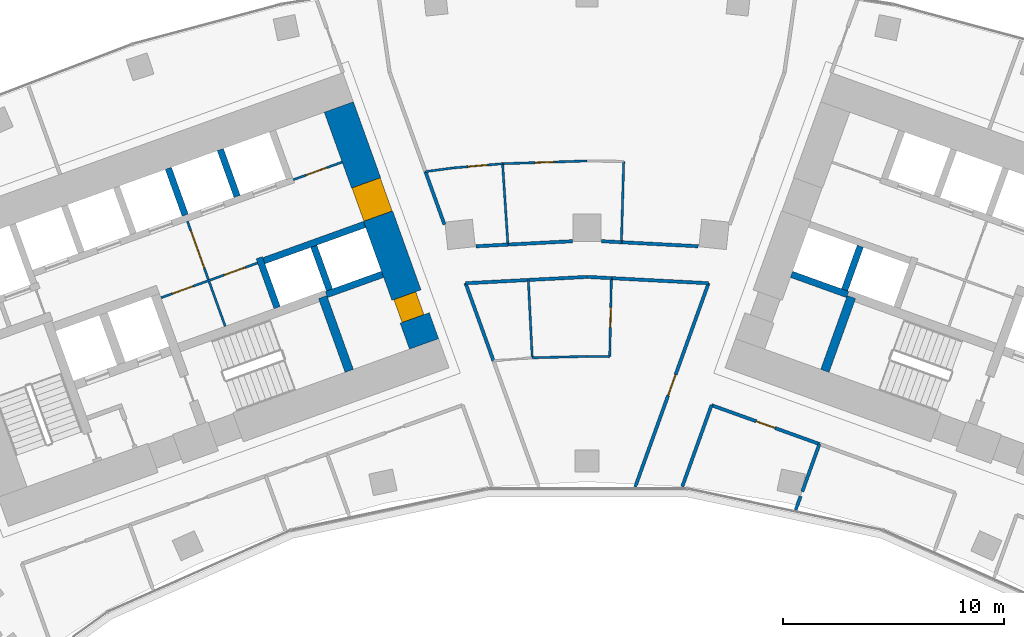
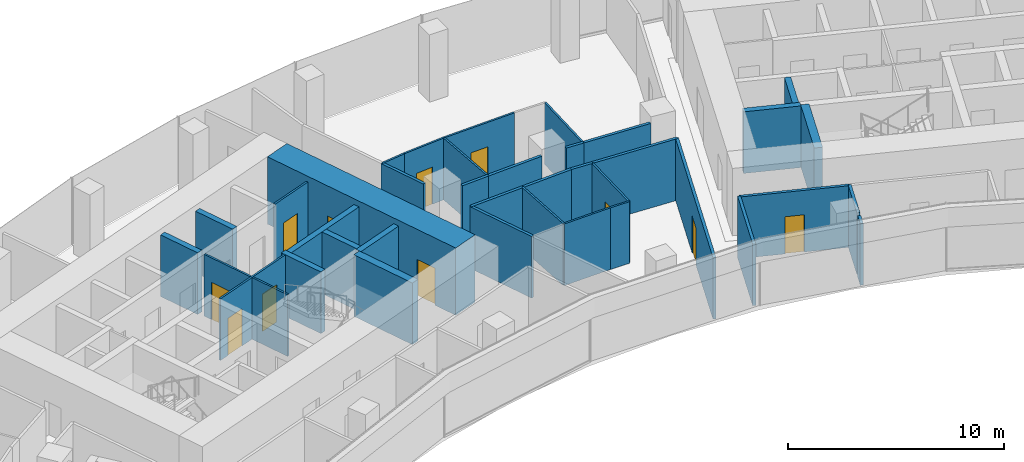
# One storey, part 15 of 21: 38 walls, 11 doors, 11 openings.
"""IFC4 building model written with IfcOpenShell, lengths in metres."""

from ifc_helpers import new_model, si_unit, direction, frame, frame_2d, origin, place, context, subcontext, project, spatial, rectangle, extrude, material, layer, layer_set, type_object, element, fill, save


model = new_model("IFC4")

# Units and contexts
model_context = context("Model", 3, precision=1e-05, world=origin(), true_north=direction((0.0, 1.0)))
body_context = subcontext(model_context, "Body", "Model", "MODEL_VIEW")
ifc_project = project(units=[si_unit("LENGTHUNIT", "METRE"), si_unit("AREAUNIT", "SQUARE_METRE"), si_unit("VOLUMEUNIT", "CUBIC_METRE"), si_unit("PLANEANGLEUNIT", "RADIAN"), si_unit("MASSUNIT", "GRAM", prefix="KILO")], contexts=[model_context])

# Site, building, storey
site_placement = place(None, origin())
site = spatial("IfcSite", under=ifc_project, at=site_placement, CompositionType="ELEMENT")
building_placement = place(site_placement, origin())
building = spatial("IfcBuilding", under=site, at=building_placement, Name="Stone Belt Terrace Tower", CompositionType="ELEMENT")
storey_placement = place(building_placement, frame((0.0, 0.0, 163.0)))
storey = spatial("IfcBuildingStorey", under=building, at=storey_placement, Name="L39", CompositionType="ELEMENT", Elevation=163.0)

# Wall, openings, doors
ifc_material_1 = material(Name="Plasterboard partition")
ifc_layer_1 = layer(ifc_material_1, 0.10009765625)
ifc_layer_set_1 = layer_set([ifc_layer_1], Name="Core partition 100")
wall_type_1 = type_object("IfcWallType", Name="Core partition 100", PredefinedType="PARTITIONING", material=ifc_layer_set_1)
wall_1_placement = place(storey_placement, frame((-19.29052734375, 51.829833984375, 0.0), z_axis=(0.0, 0.0, 1.0), x_axis=(0.940930240745, 0.338600475563, 0.0)))
wall_1 = element("IfcWall", 1, at=wall_1_placement, inside=storey, type_object=wall_type_1, Name="Core A wall", PredefinedType="PARTITIONING", context=body_context, shape_type="SweptSolid", body=[
    extrude(rectangle(XDim=4.64990234375, YDim=0.10009765625, at=frame_2d((2.324951171875, 0.0))), origin(), (0.0, 0.0, 1.0), 3.47998046875),
])
opening_1_placement = place(wall_1_placement, frame((0.550048828125, 0.0, 0.0)))
opening_1 = element("IfcOpeningElement", 2, at=opening_1_placement, cuts=wall_1, Name="Opening L39-C02", PredefinedType="OPENING", context=body_context, shape_type="SweptSolid", body=[
    extrude(rectangle(XDim=1.0, YDim=2.10009765625, at=frame_2d((0.5, 1.050048828125))), frame((0.0, 0.06005859375, 0.0), z_axis=(0.0, -1.0, 0.0), x_axis=(1.0, 0.0, 0.0)), (0.0, 0.0, 1.0), 0.1201171875),
])
opening_2_placement = place(wall_1_placement, frame((3.050048828125, 0.0, 0.0)))
opening_2 = element("IfcOpeningElement", 3, at=opening_2_placement, cuts=wall_1, Name="Opening L39-C03", PredefinedType="OPENING", context=body_context, shape_type="SweptSolid", body=[
    extrude(rectangle(XDim=1.0, YDim=2.10009765625, at=frame_2d((0.5, 1.050048828125))), frame((0.0, 0.06005859375, 0.0), z_axis=(0.0, -1.0, 0.0), x_axis=(1.0, 0.0, 0.0)), (0.0, 0.0, 1.0), 0.1201171875),
])
ifc_material_2 = material(Name="Timber door leaf", Category="wood")
door_type_1 = type_object("IfcDoorType", Name="Core room door 1000", OperationType="SINGLE_SWING_LEFT", PredefinedType="DOOR", material=ifc_material_2)
door_1_placement = place(opening_1_placement, origin())
door_1 = element("IfcDoor", 4, at=door_1_placement, inside=storey, type_object=door_type_1, Name="Door to Meeting store core A", OperationType="SINGLE_SWING_LEFT", OverallHeight=2.10009765625, OverallWidth=1.0, PredefinedType="DOOR", context=body_context, shape_type="SweptSolid", body=[
    extrude(rectangle(XDim=1.0, YDim=2.10009765625, at=frame_2d((0.5, 1.050048828125))), frame((0.0, 0.02490234375, 0.0), z_axis=(0.0, -1.0, 0.0), x_axis=(1.0, 0.0, 0.0)), (0.0, 0.0, 1.0), 0.050048828125),
])
fill(opening_1, door_1)
door_2_placement = place(opening_2_placement, origin())
door_2 = element("IfcDoor", 5, at=door_2_placement, inside=storey, type_object=door_type_1, Name="Door to Staff pantry core A", OperationType="SINGLE_SWING_RIGHT", OverallHeight=2.10009765625, OverallWidth=1.0, PredefinedType="DOOR", context=body_context, shape_type="SweptSolid", body=[
    extrude(rectangle(XDim=1.0, YDim=2.10009765625, at=frame_2d((0.5, 1.050048828125))), frame((0.0, 0.02490234375, 0.0), z_axis=(0.0, -1.0, 0.0), x_axis=(1.0, 0.0, 0.0)), (0.0, 0.0, 1.0), 0.050048828125),
])
fill(opening_2, door_2)

# Wall, opening, door
wall_2_placement = place(storey_placement, frame((-16.38134765625, 50.53857421875, 0.0), z_axis=(0.0, 0.0, 1.0), x_axis=(-0.33860476744, 0.940928696271, 0.0)))
wall_2 = element("IfcWall", 6, at=wall_2_placement, inside=storey, type_object=wall_type_1, Name="Core A wall", PredefinedType="PARTITIONING", context=body_context, shape_type="SweptSolid", body=[
    extrude(rectangle(XDim=5.050048828125, YDim=0.10009765625, at=frame_2d((2.52490234375, 0.0))), origin(), (0.0, 0.0, 1.0), 3.47998046875),
])
opening_3_placement = place(wall_2_placement, frame((2.800048828125, 0.0, 0.0)))
opening_3 = element("IfcOpeningElement", 7, at=opening_3_placement, cuts=wall_2, Name="Opening L39-C06", PredefinedType="OPENING", context=body_context, shape_type="SweptSolid", body=[
    extrude(rectangle(XDim=1.800048828125, YDim=2.10009765625, at=frame_2d((0.89990234375, 1.050048828125))), frame((0.0, 0.06005859375, 0.0), z_axis=(0.0, -1.0, 0.0), x_axis=(1.0, 0.0, 0.0)), (0.0, 0.0, 1.0), 0.1201171875),
])
ifc_material_3 = material(Name="Glazed aluminium door leaf", Category="aluminium")
door_type_2 = type_object("IfcDoorType", Name="Lift lobby entrance door 1800", OperationType="DOUBLE_DOOR_SINGLE_SWING", PredefinedType="DOOR", material=ifc_material_3)
door_3_placement = place(opening_3_placement, origin())
door_3 = element("IfcDoor", 8, at=door_3_placement, inside=storey, type_object=door_type_2, Name="Lift lobby double door core A", OperationType="DOUBLE_DOOR_SINGLE_SWING", OverallHeight=2.10009765625, OverallWidth=1.800048828125, PredefinedType="DOOR", context=body_context, shape_type="SweptSolid", body=[
    extrude(rectangle(XDim=1.800048828125, YDim=2.10009765625, at=frame_2d((0.89990234375, 1.050048828125))), frame((0.0, 0.02490234375, 0.0), z_axis=(0.0, -1.0, 0.0), x_axis=(1.0, 0.0, 0.0)), (0.0, 0.0, 1.0), 0.050048828125),
])
fill(opening_3, door_3)

wall_3_placement = place(storey_placement, frame((-13.29638671875, 57.17529296875, 0.0), z_axis=(0.0, 0.0, 1.0), x_axis=(0.940904627055, 0.338671644496, 0.0)))
wall_3 = element("IfcWall", 9, at=wall_3_placement, inside=storey, type_object=wall_type_1, Name="Core A wall", PredefinedType="PARTITIONING", context=body_context, shape_type="SweptSolid", body=[
    extrude(rectangle(XDim=2.35009765625, YDim=0.10009765625, at=frame_2d((1.175048828125, 0.0))), origin(), (0.0, 0.0, 1.0), 3.47998046875),
])
opening_4_placement = place(wall_3_placement, frame((0.60009765625, 0.0, 0.0)))
opening_4 = element("IfcOpeningElement", 10, at=opening_4_placement, cuts=wall_3, Name="Opening L39-C01", PredefinedType="OPENING", context=body_context, shape_type="SweptSolid", body=[
    extrude(rectangle(XDim=1.0, YDim=2.10009765625, at=frame_2d((0.5, 1.050048828125))), frame((0.0, 0.06005859375, 0.0), z_axis=(0.0, -1.0, 0.0), x_axis=(1.0, 0.0, 0.0)), (0.0, 0.0, 1.0), 0.1201171875),
])
door_4_placement = place(opening_4_placement, origin())
door_4 = element("IfcDoor", 11, at=door_4_placement, inside=storey, type_object=door_type_1, Name="Door to IT equipment room core A", OperationType="SINGLE_SWING_LEFT", OverallHeight=2.10009765625, OverallWidth=1.0, PredefinedType="DOOR", context=body_context, shape_type="SweptSolid", body=[
    extrude(rectangle(XDim=1.0, YDim=2.10009765625, at=frame_2d((0.5, 1.050048828125))), frame((0.0, 0.02490234375, 0.0), z_axis=(0.0, -1.0, 0.0), x_axis=(1.0, 0.0, 0.0)), (0.0, 0.0, 1.0), 0.050048828125),
])
fill(opening_4, door_4)

# Wall, openings, doors
ifc_material_4 = material(Name="Concrete B80", Category="concrete")
ifc_layer_2 = layer(ifc_material_4, 1.39990234375)
ifc_layer_set_2 = layer_set([ifc_layer_2], Name="Core wall 1400 B80")
wall_type_2 = type_object("IfcWallType", Name="Core wall 1400 B80", PredefinedType="SHEAR", material=ifc_layer_set_2)
wall_4_placement = place(storey_placement, frame((-7.379150390625, 49.73974609375, 0.0), z_axis=(0.0, 0.0, 1.0), x_axis=(-0.338625431531, 0.940921259788, 0.0)))
wall_4 = element("IfcWall", 12, at=wall_4_placement, inside=storey, type_object=wall_type_2, Name="Core A wall end_b L39", PredefinedType="SHEAR", context=body_context, shape_type="SweptSolid", body=[
    extrude(rectangle(XDim=11.400146484375, YDim=1.39990234375, at=frame_2d((5.7001953125, 0.0))), origin(), (0.0, 0.0, 1.0), 3.800048828125),
])
opening_5_placement = place(wall_4_placement, frame((6.14990234375, 0.0, 0.0)))
opening_5 = element("IfcOpeningElement", 13, at=opening_5_placement, cuts=wall_4, Name="Opening L39-C07", PredefinedType="OPENING", context=body_context, shape_type="SweptSolid", body=[
    extrude(rectangle(XDim=1.60009765625, YDim=2.10009765625, at=frame_2d((0.800048828125, 1.050048828125))), frame((0.0, 0.7099609375, 0.0), z_axis=(0.0, -1.0, 0.0), x_axis=(1.0, 0.0, 0.0)), (0.0, 0.0, 1.0), 1.419921875),
])
opening_6_placement = place(wall_4_placement, frame((1.25, 0.0, 0.0)))
opening_6 = element("IfcOpeningElement", 14, at=opening_6_placement, cuts=wall_4, Name="Opening L39-C13", PredefinedType="OPENING", context=body_context, shape_type="SweptSolid", body=[
    extrude(rectangle(XDim=1.10009765625, YDim=2.10009765625, at=frame_2d((0.550048828125, 1.050048828125))), frame((0.0, 0.7099609375, 0.0), z_axis=(0.0, -1.0, 0.0), x_axis=(1.0, 0.0, 0.0)), (0.0, 0.0, 1.0), 1.419921875),
])
door_type_3 = type_object("IfcDoorType", Name="Core room door 1100", OperationType="SINGLE_SWING_LEFT", PredefinedType="DOOR", material=ifc_material_2)
door_5_placement = place(opening_6_placement, origin())
door_5 = element("IfcDoor", 15, at=door_5_placement, inside=storey, type_object=door_type_3, Name="Door to Electrical riser room core A", OperationType="SINGLE_SWING_LEFT", OverallHeight=2.10009765625, OverallWidth=1.10009765625, PredefinedType="DOOR", context=body_context, shape_type="SweptSolid", body=[
    extrude(rectangle(XDim=1.10009765625, YDim=2.10009765625, at=frame_2d((0.550048828125, 1.050048828125))), frame((0.0, 0.60498046875, 0.0), z_axis=(0.0, -1.0, 0.0), x_axis=(1.0, 0.0, 0.0)), (0.0, 0.0, 1.0), 1.050048828125),
])
fill(opening_6, door_5)
door_type_4 = type_object("IfcDoorType", Name="Lift lobby entrance door 1600", OperationType="DOUBLE_DOOR_SINGLE_SWING", PredefinedType="DOOR", material=ifc_material_3)
door_6_placement = place(opening_5_placement, origin())
door_6 = element("IfcDoor", 16, at=door_6_placement, inside=storey, type_object=door_type_4, Name="Lift lobby entrance door core A", OperationType="DOUBLE_DOOR_SINGLE_SWING", OverallHeight=2.10009765625, OverallWidth=1.60009765625, PredefinedType="DOOR", context=body_context, shape_type="SweptSolid", body=[
    extrude(rectangle(XDim=1.60009765625, YDim=2.10009765625, at=frame_2d((0.800048828125, 1.050048828125))), frame((0.0, 0.68017578125, 0.0), z_axis=(0.0, -1.0, 0.0), x_axis=(1.0, 0.0, 0.0)), (0.0, 0.0, 1.0), 1.360107421875),
])
fill(opening_5, door_6)

# Walls
ifc_layer_3 = layer(ifc_material_4, 0.300048828125)
ifc_layer_set_3 = layer_set([ifc_layer_3], Name="Lift shaft wall 300")
wall_type_3 = type_object("IfcWallType", Name="Lift shaft wall 300", PredefinedType="SHEAR", material=ifc_layer_set_3)
wall_5_placement = place(storey_placement, frame((-18.193115234375, 55.572509765625, 0.0), z_axis=(0.0, 0.0, 1.0), x_axis=(-0.338535034312, 0.940953787677, 0.0)))
element("IfcWall", 17, at=wall_5_placement, inside=storey, type_object=wall_type_3, Name="Core A wall", PredefinedType="SHEAR", context=body_context, shape_type="SweptSolid", body=[
    extrude(rectangle(XDim=2.25, YDim=0.300048828125, at=frame_2d((1.125, 0.0))), origin(), (0.0, 0.0, 1.0), 3.47998046875),
])
wall_6_placement = place(storey_placement, frame((-14.029052734375, 51.38525390625, 0.0), z_axis=(0.0, 0.0, 1.0), x_axis=(-0.338661829791, 0.940908159728, 0.0)))
element("IfcWall", 18, at=wall_6_placement, inside=storey, type_object=wall_type_3, Name="Core A wall", PredefinedType="SHEAR", context=body_context, shape_type="SweptSolid", body=[
    extrude(rectangle(XDim=2.39990234375, YDim=0.300048828125, at=frame_2d((1.199951171875, 0.0))), origin(), (0.0, 0.0, 1.0), 3.47998046875),
])
wall_7_placement = place(storey_placement, frame((-14.6328125, 53.506103515625, 0.0), z_axis=(0.0, 0.0, 1.0), x_axis=(0.940931684323, 0.338596464007, 0.0)))
element("IfcWall", 19, at=wall_7_placement, inside=storey, type_object=wall_type_3, Name="Core A wall", PredefinedType="SHEAR", context=body_context, shape_type="SweptSolid", body=[
    extrude(rectangle(XDim=4.849609375, YDim=0.300048828125, at=frame_2d((2.4248046875, 0.0))), origin(), (0.0, 0.0, 1.0), 3.47998046875),
])
wall_8_placement = place(storey_placement, frame((-15.8408203125, 56.419189453125, 0.0), z_axis=(0.0, 0.0, 1.0), x_axis=(-0.338569601369, 0.940941350472, 0.0)))
element("IfcWall", 20, at=wall_8_placement, inside=storey, type_object=wall_type_3, Name="Core A wall", PredefinedType="SHEAR", context=body_context, shape_type="SweptSolid", body=[
    extrude(rectangle(XDim=2.249755859375, YDim=0.300048828125, at=frame_2d((1.125, 0.0))), origin(), (0.0, 0.0, 1.0), 3.47998046875),
])
wall_9_placement = place(storey_placement, frame((-11.797119140625, 51.975830078125, 0.0), z_axis=(0.0, 0.0, 1.0), x_axis=(0.940910465161, 0.33865542451, 0.0)))
element("IfcWall", 21, at=wall_9_placement, inside=storey, type_object=wall_type_3, Name="Core A wall", PredefinedType="SHEAR", context=body_context, shape_type="SweptSolid", body=[
    extrude(rectangle(XDim=2.69970703125, YDim=0.300048828125, at=frame_2d((1.349853515625, 0.0))), origin(), (0.0, 0.0, 1.0), 3.47998046875),
])
wall_10_placement = place(storey_placement, frame((-11.659912109375, 52.184814453125, 0.0), z_axis=(0.0, 0.0, 1.0), x_axis=(-0.338670064856, 0.940905195634, 0.0)))
element("IfcWall", 22, at=wall_10_placement, inside=storey, type_object=wall_type_3, Name="Core A wall", PredefinedType="SHEAR", context=body_context, shape_type="SweptSolid", body=[
    extrude(rectangle(XDim=2.099853515625, YDim=0.300048828125, at=frame_2d((1.0498046875, 0.0))), origin(), (0.0, 0.0, 1.0), 3.47998046875),
])
wall_11_placement = place(storey_placement, frame((11.797119140625, 51.975830078125, 0.0), z_axis=(0.0, 0.0, 1.0), x_axis=(-0.940910465161, 0.33865542451, 0.0)))
element("IfcWall", 23, at=wall_11_placement, inside=storey, type_object=wall_type_3, Name="Core B wall", PredefinedType="SHEAR", context=body_context, shape_type="SweptSolid", body=[
    extrude(rectangle(XDim=2.69970703125, YDim=0.300048828125, at=frame_2d((1.349853515625, 0.0))), origin(), (0.0, 0.0, 1.0), 3.47998046875),
])
wall_12_placement = place(storey_placement, frame((11.659912109375, 52.184814453125, 0.0), z_axis=(0.0, 0.0, 1.0), x_axis=(0.338670064856, 0.940905195634, 0.0)))
element("IfcWall", 24, at=wall_12_placement, inside=storey, type_object=wall_type_3, Name="Core B wall", PredefinedType="SHEAR", context=body_context, shape_type="SweptSolid", body=[
    extrude(rectangle(XDim=2.099853515625, YDim=0.300048828125, at=frame_2d((1.0498046875, 0.0))), origin(), (0.0, 0.0, 1.0), 3.47998046875),
])
ifc_material_5 = material(Name="Gypsum board partition")
ifc_layer_4 = layer(ifc_material_5, 0.10009765625)
ifc_layer_set_4 = layer_set([ifc_layer_4], Name="PARTITION 100")
wall_type_4 = type_object("IfcWallType", Name="PARTITION 100", PredefinedType="PARTITIONING", material=ifc_layer_set_4)
wall_13_placement = place(storey_placement, frame((-2.48095703125, 49.112060546875, 0.0), z_axis=(0.0, 0.0, 1.0), x_axis=(0.999677862605, 0.025380524361, 0.0)))
element("IfcWall", 25, at=wall_13_placement, inside=storey, type_object=wall_type_4, Name="L39/wall/i092", PredefinedType="PARTITIONING", context=body_context, shape_type="SweptSolid", body=[
    extrude(rectangle(XDim=2.481689453125, YDim=0.10009765625, at=frame_2d((1.24072265625, 0.0))), origin(), (0.0, 0.0, 1.0), 3.47998046875),
])
wall_14_placement = place(storey_placement, frame((0.0, 49.175048828125, 0.0), z_axis=(0.0, 0.0, 1.0), x_axis=(0.999942797799, -0.010695846423, 0.0)))
element("IfcWall", 26, at=wall_14_placement, inside=storey, type_object=wall_type_4, Name="L39/wall/i093", PredefinedType="PARTITIONING", context=body_context, shape_type="SweptSolid", body=[
    extrude(rectangle(XDim=1.027099609375, YDim=0.10009765625, at=frame_2d((0.513671875, 0.0))), origin(), (0.0, 0.0, 1.0), 3.47998046875),
])

# Wall, opening, door
wall_15_placement = place(storey_placement, frame((1.027099609375, 49.1640625, 0.0), z_axis=(0.0, 0.0, 1.0), x_axis=(0.020815938119, 0.999783324886, 0.0)))
wall_15 = element("IfcWall", 27, at=wall_15_placement, inside=storey, type_object=wall_type_4, Name="L39/wall/i094", PredefinedType="PARTITIONING", context=body_context, shape_type="SweptSolid", body=[
    extrude(rectangle(XDim=3.5537109375, YDim=0.10009765625, at=frame_2d((1.77685546875, 0.0))), origin(), (0.0, 0.0, 1.0), 3.47998046875),
])
opening_7_placement = place(wall_15_placement, frame((1.326904296875, 0.0, 0.0)))
opening_7 = element("IfcOpeningElement", 28, at=opening_7_placement, cuts=wall_15, Name="Opening D-C2-29", PredefinedType="OPENING", context=body_context, shape_type="SweptSolid", body=[
    extrude(rectangle(XDim=0.89990234375, YDim=2.10009765625, at=frame_2d((0.449951171875, 1.050048828125))), frame((0.0, 0.06005859375, 0.0), z_axis=(0.0, -1.0, 0.0), x_axis=(1.0, 0.0, 0.0)), (0.0, 0.0, 1.0), 0.1201171875),
])
door_type_5 = type_object("IfcDoorType", Name="OFFICE DOOR 900 X 2100", OperationType="NOTDEFINED", PredefinedType="DOOR", material=ifc_material_2)
door_7_placement = place(opening_7_placement, origin())
door_7 = element("IfcDoor", 29, at=door_7_placement, inside=storey, type_object=door_type_5, Name="L39/door/i29", OperationType="SINGLE_SWING_RIGHT", OverallHeight=2.10009765625, OverallWidth=0.89990234375, PredefinedType="DOOR", context=body_context, shape_type="SweptSolid", body=[
    extrude(rectangle(XDim=0.89990234375, YDim=2.10009765625, at=frame_2d((0.449951171875, 1.050048828125))), frame((0.0, 0.02490234375, 0.0), z_axis=(0.0, -1.0, 0.0), x_axis=(1.0, 0.0, 0.0)), (0.0, 0.0, 1.0), 0.050048828125),
])
fill(opening_7, door_7)

# Wall
wall_16_placement = place(storey_placement, frame((-2.658935546875, 52.635986328125, 0.0), z_axis=(0.0, 0.0, 1.0), x_axis=(0.050441457474, -0.998727019444, 0.0)))
element("IfcWall", 30, at=wall_16_placement, inside=storey, type_object=wall_type_4, Name="L39/wall/i095", PredefinedType="PARTITIONING", context=body_context, shape_type="SweptSolid", body=[
    extrude(rectangle(XDim=3.5283203125, YDim=0.10009765625, at=frame_2d((1.76416015625, 0.0))), origin(), (0.0, 0.0, 1.0), 3.47998046875),
])

# Wall, opening, door
wall_17_placement = place(storey_placement, frame((-3.823974609375, 57.89892578125, 0.0), z_axis=(0.0, 0.0, 1.0), x_axis=(-0.996353770626, -0.085318015439, 0.0)))
wall_17 = element("IfcWall", 31, at=wall_17_placement, inside=storey, type_object=wall_type_4, Name="L39/wall/i096", PredefinedType="PARTITIONING", context=body_context, shape_type="SweptSolid", body=[
    extrude(rectangle(XDim=2.249267578125, YDim=0.10009765625, at=frame_2d((1.12451171875, 0.0))), origin(), (0.0, 0.0, 1.0), 3.47998046875),
])
opening_8_placement = place(wall_17_placement, frame((0.674560546875, 0.0, 0.0)))
opening_8 = element("IfcOpeningElement", 32, at=opening_8_placement, cuts=wall_17, Name="Opening D-C2-31", PredefinedType="OPENING", context=body_context, shape_type="SweptSolid", body=[
    extrude(rectangle(XDim=0.89990234375, YDim=2.10009765625, at=frame_2d((0.449951171875, 1.050048828125))), frame((0.0, 0.06005859375, 0.0), z_axis=(0.0, -1.0, 0.0), x_axis=(1.0, 0.0, 0.0)), (0.0, 0.0, 1.0), 0.1201171875),
])
door_8_placement = place(opening_8_placement, origin())
door_8 = element("IfcDoor", 33, at=door_8_placement, inside=storey, type_object=door_type_5, Name="L39/door/i31", OperationType="SINGLE_SWING_RIGHT", OverallHeight=2.10009765625, OverallWidth=0.89990234375, PredefinedType="DOOR", context=body_context, shape_type="SweptSolid", body=[
    extrude(rectangle(XDim=0.89990234375, YDim=2.10009765625, at=frame_2d((0.449951171875, 1.050048828125))), frame((0.0, 0.02490234375, 0.0), z_axis=(0.0, -1.0, 0.0), x_axis=(1.0, 0.0, 0.0)), (0.0, 0.0, 1.0), 0.050048828125),
])
fill(opening_8, door_8)

# Walls
wall_18_placement = place(storey_placement, frame((-6.06494140625, 57.70703125, 0.0), z_axis=(0.0, 0.0, 1.0), x_axis=(-0.991238017123, -0.132087824608, 0.0)))
element("IfcWall", 34, at=wall_18_placement, inside=storey, type_object=wall_type_4, Name="L39/wall/i097", PredefinedType="PARTITIONING", context=body_context, shape_type="SweptSolid", body=[
    extrude(rectangle(XDim=1.26416015625, YDim=0.10009765625, at=frame_2d((0.632080078125, 0.0))), origin(), (0.0, 0.0, 1.0), 3.47998046875),
])
wall_19_placement = place(storey_placement, frame((1.555908203125, 54.343994140625, 0.0), z_axis=(0.0, 0.0, 1.0), x_axis=(0.028428321324, 0.999595833598, 0.0)))
element("IfcWall", 35, at=wall_19_placement, inside=storey, type_object=wall_type_4, Name="L39/wall/i098", PredefinedType="PARTITIONING", context=body_context, shape_type="SweptSolid", body=[
    extrude(rectangle(XDim=3.658447265625, YDim=0.10009765625, at=frame_2d((1.8291015625, 0.0))), origin(), (0.0, 0.0, 1.0), 3.47998046875),
])

# Wall, opening, door
wall_20_placement = place(storey_placement, frame((0.0, 58.02490234375, 0.0), z_axis=(0.0, 0.0, 1.0), x_axis=(-0.999457791673, -0.032926018036, 0.0)))
wall_20 = element("IfcWall", 36, at=wall_20_placement, inside=storey, type_object=wall_type_4, Name="L39/wall/i100", PredefinedType="PARTITIONING", context=body_context, shape_type="SweptSolid", body=[
    extrude(rectangle(XDim=3.825927734375, YDim=0.10009765625, at=frame_2d((1.9130859375, 0.0))), origin(), (0.0, 0.0, 1.0), 3.47998046875),
])
opening_9_placement = place(wall_20_placement, frame((1.463134765625, 0.0, 0.0)))
opening_9 = element("IfcOpeningElement", 37, at=opening_9_placement, cuts=wall_20, Name="Opening D-C2-32", PredefinedType="OPENING", context=body_context, shape_type="SweptSolid", body=[
    extrude(rectangle(XDim=0.89990234375, YDim=2.10009765625, at=frame_2d((0.449951171875, 1.050048828125))), frame((0.0, 0.06005859375, 0.0), z_axis=(0.0, -1.0, 0.0), x_axis=(1.0, 0.0, 0.0)), (0.0, 0.0, 1.0), 0.1201171875),
])
door_9_placement = place(opening_9_placement, origin())
door_9 = element("IfcDoor", 38, at=door_9_placement, inside=storey, type_object=door_type_5, Name="L39/door/i32", OperationType="SINGLE_SWING_RIGHT", OverallHeight=2.10009765625, OverallWidth=0.89990234375, PredefinedType="DOOR", context=body_context, shape_type="SweptSolid", body=[
    extrude(rectangle(XDim=0.89990234375, YDim=2.10009765625, at=frame_2d((0.449951171875, 1.050048828125))), frame((0.0, 0.02490234375, 0.0), z_axis=(0.0, -1.0, 0.0), x_axis=(1.0, 0.0, 0.0)), (0.0, 0.0, 1.0), 0.050048828125),
])
fill(opening_9, door_9)

# Walls
wall_21_placement = place(storey_placement, frame((-3.823974609375, 57.89892578125, 0.0), z_axis=(0.0, 0.0, 1.0), x_axis=(0.065927328972, -0.997824427089, 0.0)))
element("IfcWall", 39, at=wall_21_placement, inside=storey, type_object=wall_type_4, Name="L39/wall/i101", PredefinedType="PARTITIONING", context=body_context, shape_type="SweptSolid", body=[
    extrude(rectangle(XDim=3.669921875, YDim=0.10009765625, at=frame_2d((1.8349609375, 0.0))), origin(), (0.0, 0.0, 1.0), 3.47998046875),
])
ifc_layer_5 = layer(ifc_material_5, 0.14990234375)
ifc_layer_set_5 = layer_set([ifc_layer_5], Name="PARTITION 150 EI 60")
wall_type_5 = type_object("IfcWallType", Name="PARTITION 150 EI 60", PredefinedType="PARTITIONING", material=ifc_layer_set_5)
wall_22_placement = place(storey_placement, frame((-5.5009765625, 52.492919921875, 0.0), z_axis=(0.0, 0.0, 1.0), x_axis=(0.338673288888, -0.940904035167, 0.0)))
element("IfcWall", 40, at=wall_22_placement, inside=storey, type_object=wall_type_5, Name="L39/wall/i010", PredefinedType="PARTITIONING", context=body_context, shape_type="SweptSolid", body=[
    extrude(rectangle(XDim=3.744140625, YDim=0.14990234375, at=frame_2d((1.8720703125, 0.0))), origin(), (0.0, 0.0, 1.0), 3.47998046875),
])
wall_23_placement = place(storey_placement, frame((-7.319091796875, 57.5458984375, 0.0), z_axis=(0.0, 0.0, 1.0), x_axis=(0.338411575899, -0.940998196224, 0.0)))
element("IfcWall", 41, at=wall_23_placement, inside=storey, type_object=wall_type_5, Name="L39/wall/i013", PredefinedType="PARTITIONING", context=body_context, shape_type="SweptSolid", body=[
    extrude(rectangle(XDim=2.555419921875, YDim=0.14990234375, at=frame_2d((1.27783203125, 0.0))), origin(), (0.0, 0.0, 1.0), 3.47998046875),
])
wall_24_placement = place(storey_placement, frame((5.638916015625, 46.971923828125, 0.0), z_axis=(0.0, 0.0, 1.0), x_axis=(-0.338569683937, -0.940941320763, 0.0)))
element("IfcWall", 42, at=wall_24_placement, inside=storey, type_object=wall_type_5, Name="L39/wall/i022", PredefinedType="PARTITIONING", context=body_context, shape_type="SweptSolid", body=[
    extrude(rectangle(XDim=3.9248046875, YDim=0.14990234375, at=frame_2d((1.96240234375, 0.0))), origin(), (0.0, 0.0, 1.0), 3.47998046875),
])

# Wall, opening, door
wall_25_placement = place(storey_placement, frame((2.178466796875, 43.26171875, 0.0), z_axis=(0.0, 0.0, 1.0), x_axis=(0.338654259988, 0.940910884299, 0.0)))
wall_25 = element("IfcWall", 43, at=wall_25_placement, inside=storey, type_object=wall_type_5, Name="L39/wall/i024", PredefinedType="PARTITIONING", context=body_context, shape_type="SweptSolid", body=[
    extrude(rectangle(XDim=9.81103515625, YDim=0.14990234375, at=frame_2d((4.905517578125, 0.0))), origin(), (0.0, 0.0, 1.0), 3.47998046875),
])
opening_10_placement = place(wall_25_placement, frame((4.405517578125, 0.0, 0.0)))
opening_10 = element("IfcOpeningElement", 44, at=opening_10_placement, cuts=wall_25, Name="Opening D-C2-27", PredefinedType="OPENING", context=body_context, shape_type="SweptSolid", body=[
    extrude(rectangle(XDim=1.0, YDim=2.10009765625, at=frame_2d((0.5, 1.050048828125))), frame((0.0, 0.0849609375, 0.0), z_axis=(0.0, -1.0, 0.0), x_axis=(1.0, 0.0, 0.0)), (0.0, 0.0, 1.0), 0.169921875),
])
ifc_material_6 = material(Name="Timber fire door leaf", Category="wood")
door_type_6 = type_object("IfcDoorType", Name="TENANCY ENTRANCE DOOR 1000 X 2100", OperationType="NOTDEFINED", PredefinedType="DOOR", material=ifc_material_6)
door_10_placement = place(opening_10_placement, origin())
door_10 = element("IfcDoor", 45, at=door_10_placement, inside=storey, type_object=door_type_6, Name="L39/door/i27", OperationType="SINGLE_SWING_LEFT", OverallHeight=2.10009765625, OverallWidth=1.0, PredefinedType="DOOR", context=body_context, shape_type="SweptSolid", body=[
    extrude(rectangle(XDim=1.0, YDim=2.10009765625, at=frame_2d((0.5, 1.050048828125))), frame((0.0, 0.02490234375, 0.0), z_axis=(0.0, -1.0, 0.0), x_axis=(1.0, 0.0, 0.0)), (0.0, 0.0, 1.0), 0.050048828125),
])
fill(opening_10, door_10)

wall_26_placement = place(storey_placement, frame((10.52587890625, 45.20703125, 0.0), z_axis=(0.0, 0.0, 1.0), x_axis=(-0.940925748953, 0.338612957455, 0.0)))
wall_26 = element("IfcWall", 46, at=wall_26_placement, inside=storey, type_object=wall_type_5, Name="L39/wall/i034", PredefinedType="PARTITIONING", context=body_context, shape_type="SweptSolid", body=[
    extrude(rectangle(XDim=5.19482421875, YDim=0.14990234375, at=frame_2d((2.597412109375, 0.0))), origin(), (0.0, 0.0, 1.0), 3.47998046875),
])
opening_11_placement = place(wall_26_placement, frame((2.1474609375, 0.0, 0.0)))
opening_11 = element("IfcOpeningElement", 47, at=opening_11_placement, cuts=wall_26, Name="Opening D-C2-07", PredefinedType="OPENING", context=body_context, shape_type="SweptSolid", body=[
    extrude(rectangle(XDim=0.89990234375, YDim=2.10009765625, at=frame_2d((0.449951171875, 1.050048828125))), frame((0.0, 0.0849609375, 0.0), z_axis=(0.0, -1.0, 0.0), x_axis=(1.0, 0.0, 0.0)), (0.0, 0.0, 1.0), 0.169921875),
])
door_11_placement = place(opening_11_placement, origin())
door_11 = element("IfcDoor", 48, at=door_11_placement, inside=storey, type_object=door_type_5, Name="L39/door/i07", OperationType="SINGLE_SWING_RIGHT", OverallHeight=2.10009765625, OverallWidth=0.89990234375, PredefinedType="DOOR", context=body_context, shape_type="SweptSolid", body=[
    extrude(rectangle(XDim=0.89990234375, YDim=2.10009765625, at=frame_2d((0.449951171875, 1.050048828125))), frame((0.0, 0.02490234375, 0.0), z_axis=(0.0, -1.0, 0.0), x_axis=(1.0, 0.0, 0.0)), (0.0, 0.0, 1.0), 0.050048828125),
])
fill(opening_11, door_11)

# Walls
wall_27_placement = place(storey_placement, frame((10.52001953125, 45.208984375, 0.0), z_axis=(0.0, 0.0, 1.0), x_axis=(-0.338685493229, -0.940899642191, 0.0)))
element("IfcWall", 49, at=wall_27_placement, inside=storey, type_object=wall_type_5, Name="L39/wall/i039", PredefinedType="PARTITIONING", context=body_context, shape_type="SweptSolid", body=[
    extrude(rectangle(XDim=2.2900390625, YDim=0.14990234375, at=frame_2d((1.14501953125, 0.0))), origin(), (0.0, 0.0, 1.0), 3.47998046875),
])
wall_28_placement = place(storey_placement, frame((9.667724609375, 42.841064453125, 0.0), z_axis=(0.0, 0.0, 1.0), x_axis=(-0.338798136605, -0.940859087554, 0.0)))
element("IfcWall", 50, at=wall_28_placement, inside=storey, type_object=wall_type_5, Name="L39/wall/i040", PredefinedType="PARTITIONING", context=body_context, shape_type="SweptSolid", body=[
    extrude(rectangle(XDim=0.659423828125, YDim=0.14990234375, at=frame_2d((0.32958984375, 0.0))), origin(), (0.0, 0.0, 1.0), 3.47998046875),
])
wall_29_placement = place(storey_placement, frame((5.4990234375, 52.487060546875, 0.0), z_axis=(0.0, 0.0, 1.0), x_axis=(-0.998627751692, 0.052369968019, 0.0)))
element("IfcWall", 51, at=wall_29_placement, inside=storey, type_object=wall_type_5, Name="L39/wall/i083", PredefinedType="PARTITIONING", context=body_context, shape_type="SweptSolid", body=[
    extrude(rectangle(XDim=4.41015625, YDim=0.14990234375, at=frame_2d((2.205078125, 0.0))), origin(), (0.0, 0.0, 1.0), 3.47998046875),
])
wall_30_placement = place(storey_placement, frame((-2.653076171875, 52.635986328125, 0.0), z_axis=(0.0, 0.0, 1.0), x_axis=(-0.998633639599, -0.052257572287, 0.0)))
element("IfcWall", 52, at=wall_30_placement, inside=storey, type_object=wall_type_5, Name="L39/wall/i084", PredefinedType="PARTITIONING", context=body_context, shape_type="SweptSolid", body=[
    extrude(rectangle(XDim=2.849853515625, YDim=0.14990234375, at=frame_2d((1.4248046875, 0.0))), origin(), (0.0, 0.0, 1.0), 3.47998046875),
])
wall_31_placement = place(storey_placement, frame((1.10693359375, 52.717041015625, 0.0), z_axis=(0.0, 0.0, 1.0), x_axis=(-0.998636626653, 0.05220045887, 0.0)))
element("IfcWall", 53, at=wall_31_placement, inside=storey, type_object=wall_type_5, Name="L39/wall/i085", PredefinedType="PARTITIONING", context=body_context, shape_type="SweptSolid", body=[
    extrude(rectangle(XDim=1.1083984375, YDim=0.14990234375, at=frame_2d((0.55419921875, 0.0))), origin(), (0.0, 0.0, 1.0), 3.47998046875),
])
wall_32_placement = place(storey_placement, frame((0.0, 52.77490234375, 0.0), z_axis=(0.0, 0.0, 1.0), x_axis=(-0.998625148349, -0.052419586845, 0.0)))
element("IfcWall", 54, at=wall_32_placement, inside=storey, type_object=wall_type_5, Name="L39/wall/i086", PredefinedType="PARTITIONING", context=body_context, shape_type="SweptSolid", body=[
    extrude(rectangle(XDim=2.668701171875, YDim=0.14990234375, at=frame_2d((1.33447265625, 0.0))), origin(), (0.0, 0.0, 1.0), 3.47998046875),
])
wall_33_placement = place(storey_placement, frame((1.550048828125, 54.343994140625, 0.0), z_axis=(0.0, 0.0, 1.0), x_axis=(0.998629019036, -0.052345795812, 0.0)))
element("IfcWall", 55, at=wall_33_placement, inside=storey, type_object=wall_type_5, Name="L39/wall/i087", PredefinedType="PARTITIONING", context=body_context, shape_type="SweptSolid", body=[
    extrude(rectangle(XDim=3.48876953125, YDim=0.14990234375, at=frame_2d((1.744384765625, 0.0))), origin(), (0.0, 0.0, 1.0), 3.47998046875),
])
wall_34_placement = place(storey_placement, frame((-5.033935546875, 54.161376953125, 0.0), z_axis=(0.0, 0.0, 1.0), x_axis=(0.998620599498, 0.052506173517, 0.0)))
element("IfcWall", 56, at=wall_34_placement, inside=storey, type_object=wall_type_5, Name="L39/wall/i088", PredefinedType="PARTITIONING", context=body_context, shape_type="SweptSolid", body=[
    extrude(rectangle(XDim=1.4599609375, YDim=0.14990234375, at=frame_2d((0.72998046875, 0.0))), origin(), (0.0, 0.0, 1.0), 3.47998046875),
])
wall_35_placement = place(storey_placement, frame((-3.587890625, 54.237060546875, 0.0), z_axis=(0.0, 0.0, 1.0), x_axis=(0.998632030304, 0.052288316579, 0.0)))
element("IfcWall", 57, at=wall_35_placement, inside=storey, type_object=wall_type_5, Name="L39/wall/i089", PredefinedType="PARTITIONING", context=body_context, shape_type="SweptSolid", body=[
    extrude(rectangle(XDim=2.936767578125, YDim=0.14990234375, at=frame_2d((1.46826171875, 0.0))), origin(), (0.0, 0.0, 1.0), 3.47998046875),
])
wall_36_placement = place(storey_placement, frame((0.655029296875, 54.390625, 0.0), z_axis=(0.0, 0.0, 1.0), x_axis=(0.998625245027, -0.052417745028, 0.0)))
element("IfcWall", 58, at=wall_36_placement, inside=storey, type_object=wall_type_5, Name="L39/wall/i090", PredefinedType="PARTITIONING", context=body_context, shape_type="SweptSolid", body=[
    extrude(rectangle(XDim=0.908203125, YDim=0.14990234375, at=frame_2d((0.4541015625, 0.0))), origin(), (0.0, 0.0, 1.0), 3.47998046875),
])
ifc_layer_6 = layer(ifc_material_4, 0.39990234375)
ifc_layer_set_6 = layer_set([ifc_layer_6], Name="Stair enclosure wall 400")
wall_type_6 = type_object("IfcWallType", Name="Stair enclosure wall 400", PredefinedType="SHEAR", material=ifc_layer_set_6)
for number, where, z_axis, x_axis, name in (
    (59, (-10.766357421875, 48.520751953125, 0.0), (0.0, 0.0, 1.0), (-0.338626928157, 0.94092072117, 0.0), "Core A wall"),
    (60, (10.766357421875, 48.520751953125, 0.0), (0.0, 0.0, 1.0), (0.338626928157, 0.94092072117, 0.0), "Core B wall"),
):
    element("IfcWall", number, at=place(storey_placement, frame(where, z_axis=z_axis, x_axis=x_axis)), inside=storey, type_object=wall_type_6, Name=name, PredefinedType="SHEAR", context=body_context, shape_type="SweptSolid", body=[
        extrude(rectangle(XDim=3.550048828125, YDim=0.39990234375, at=frame_2d((1.77490234375, 0.0))), origin(), (0.0, 0.0, 1.0), 3.47998046875),
    ])

save(model, "model.ifc")
